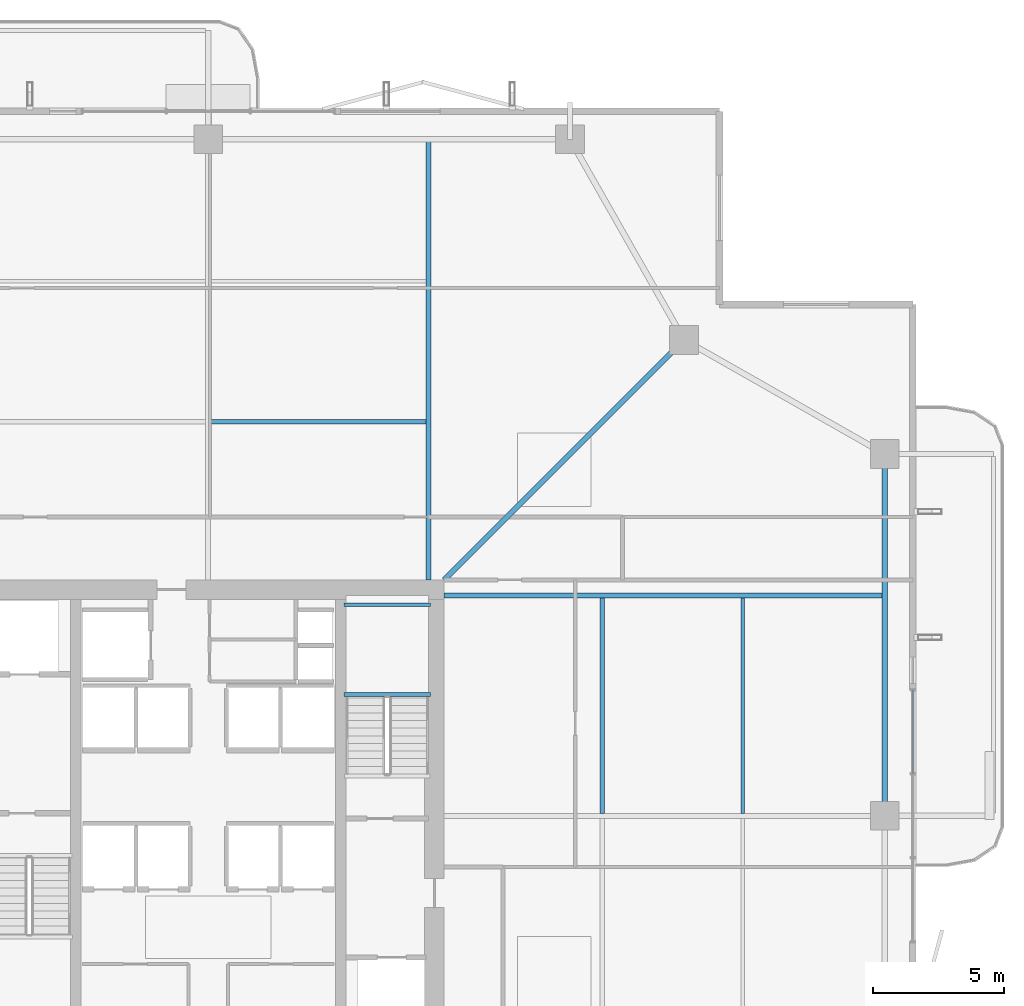
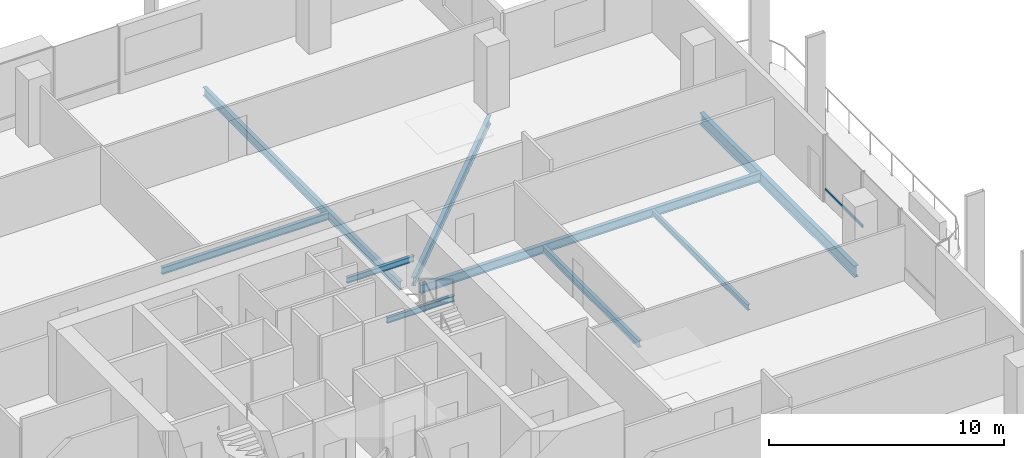
# One storey, part 12 of 24: 9 beams, 1 member, 1 element without a shape of its own.
"""IFC4 building model written with IfcOpenShell, lengths in metres."""

from ifc_helpers import new_model, si_unit, direction, frame, origin, origin_2d, place, context, subcontext, project, spatial, hollow_rectangle, i_section, extrude, material, layer, layer_set, material_profile, profile_set, type_object, element, aggregate, save


model = new_model("IFC4")

# Units and contexts
model_context = context("Model", 3, precision=1e-05, world=origin(), true_north=direction((0.0, 1.0)))
body_context = subcontext(model_context, "Body", "Model", "MODEL_VIEW")
ifc_project = project(units=[si_unit("LENGTHUNIT", "METRE"), si_unit("AREAUNIT", "SQUARE_METRE"), si_unit("VOLUMEUNIT", "CUBIC_METRE"), si_unit("PLANEANGLEUNIT", "RADIAN"), si_unit("MASSUNIT", "GRAM", prefix="KILO")], contexts=[model_context])

# Site, building, storey
site_placement = place(None, origin())
site = spatial("IfcSite", under=ifc_project, at=site_placement, CompositionType="ELEMENT")
building_placement = place(site_placement, origin())
building = spatial("IfcBuilding", under=site, at=building_placement, Name="Belovzor Exchange Tower", CompositionType="ELEMENT")
storey_placement = place(building_placement, frame((0.0, 0.0, 211.199951171875)))
storey = spatial("IfcBuildingStorey", under=building, at=storey_placement, Name="L52", CompositionType="ELEMENT", Elevation=211.199951171875)

# Beams
ifc_material_1 = material(Name="Steel S355", Category="steel")
ifc_material_profile_1 = material_profile(ifc_material_1, i_section(OverallWidth=0.169921875, OverallDepth=0.360107421875, WebThickness=0.008056640625, FlangeThickness=0.0126953125, at=origin_2d()))
ifc_profile_set_1 = profile_set([ifc_material_profile_1], Name="Steel S355")
beam_type_1 = type_object("IfcBeamType", Name="Secondary Infill Floor Joist IPE 360", PredefinedType="BEAM", material=ifc_profile_set_1)
for number, where, z_axis, x_axis, name in (
    (1, (28.89501953125, 43.827880859375, -0.429931640625), (1.0, 0.0, 0.0), (0.0, 1.0, 0.0), "FJ-360 Secondary Infill Floor Joist IPE 360"),
    (2, (43.827880859375, 28.89501953125, -0.429931640625), (0.0, 1.0, 0.0), (-1.0, 0.0, 0.0), "FJ-360 Secondary Infill Floor Joist IPE 360"),
):
    element("IfcBeam", number, at=place(storey_placement, frame(where, z_axis=z_axis, x_axis=x_axis)), inside=storey, type_object=beam_type_1, Name=name, PredefinedType="BEAM", context=body_context, shape_type="SweptSolid", body=[
        extrude(i_section(OverallWidth=0.169921875, OverallDepth=0.360107421875, WebThickness=0.008056640625, FlangeThickness=0.0126953125, at=origin_2d()), origin(), (0.0, 0.0, 1.0), 8.2099609375),
    ])
ifc_material_2 = material(Name="Steel S355", Category="steel")
ifc_material_profile_2 = material_profile(ifc_material_2, i_section(OverallWidth=0.14990234375, OverallDepth=0.300048828125, WebThickness=0.007080078125, FlangeThickness=0.0107421875, at=origin_2d()))
ifc_profile_set_2 = profile_set([ifc_material_profile_2], Name="Steel S355")
beam_type_2 = type_object("IfcBeamType", Name="Secondary Trim Floor Joist IPE 300", PredefinedType="BEAM", material=ifc_profile_set_2)
for number, where, z_axis, x_axis, name in (
    (3, (37.280029296875, 33.419921875, 1.525146484375), (-1.0, 0.0, 0.0), (0.0, -1.0, 0.0), "FJ-300 Secondary Trim Floor Joist IPE 300"),
    (4, (37.280029296875, 36.85009765625, 1.525146484375), (-1.0, 0.0, 0.0), (0.0, -1.0, 0.0), "FJ-300 Secondary Trim Floor Joist IPE 300"),
):
    element("IfcBeam", number, at=place(storey_placement, frame(where, z_axis=z_axis, x_axis=x_axis)), inside=storey, type_object=beam_type_2, Name=name, PredefinedType="BEAM", context=body_context, shape_type="SweptSolid", body=[
        extrude(i_section(OverallWidth=0.14990234375, OverallDepth=0.300048828125, WebThickness=0.007080078125, FlangeThickness=0.0107421875, at=origin_2d()), origin(), (0.0, 0.0, 1.0), 3.31005859375),
    ])
beam_1_placement = place(storey_placement, frame((49.18701171875, 28.89501953125, -0.39990234375), z_axis=(0.0, 1.0, 0.0), x_axis=(-1.0, 0.0, 0.0)))
element("IfcBeam", 5, at=beam_1_placement, inside=storey, type_object=beam_type_2, Name="FJ-300 Secondary Trim Floor Joist IPE 300", PredefinedType="BEAM", context=body_context, shape_type="SweptSolid", body=[
    extrude(i_section(OverallWidth=0.14990234375, OverallDepth=0.300048828125, WebThickness=0.007080078125, FlangeThickness=0.0107421875, at=origin_2d()), origin(), (0.0, 0.0, 1.0), 8.2099609375),
])

# Curtain wall, member
ifc_material_3 = material(Name="Anodised Aluminium Framing", Category="aluminium")
ifc_layer = layer(ifc_material_3, 0.179931640625)
ifc_layer_set = layer_set([ifc_layer], Name="Anodised Aluminium Framing")
curtain_wall_type = type_object("IfcCurtainWallType", Name="Recessed Loggia Low-Iron Triple-Glazed Curtain Wall", PredefinedType="NOTDEFINED", material=ifc_layer_set)
curtain_wall_placement = place(storey_placement, origin())
curtain_wall = element("IfcCurtainWall", 6, at=curtain_wall_placement, inside=storey, type_object=curtain_wall_type, Name="CW3 Recessed Loggia Low-Iron Triple-Glazed Curtain Wall L52", PredefinedType="NOTDEFINED")
ifc_material_4 = material(Name="Steel S355", Category="steel")
ifc_material_profile_3 = material_profile(ifc_material_4, hollow_rectangle(XDim=0.06005859375, YDim=0.14990234375, WallThickness=0.00390625, at=origin_2d()))
ifc_profile_set_3 = profile_set([ifc_material_profile_3], Name="Steel S355")
member_type = type_object("IfcMemberType", Name="Thermally Broken Curtain Wall Transom 150x60", PredefinedType="USERDEFINED", material=ifc_profile_set_3)
member_placement = place(storey_placement, frame((55.669921875, 33.592041015625, 0.630126953125), z_axis=(0.0, -1.0, 0.0), x_axis=(1.0, 0.0, 0.0)))
member = element("IfcMember", 7, at=member_placement, type_object=member_type, Name="CW-T150 Curtain Wall Transom 1", ObjectType="TRANSOM", PredefinedType="USERDEFINED", context=body_context, shape_type="SweptSolid", body=[
    extrude(hollow_rectangle(XDim=0.06005859375, YDim=0.14990234375, WallThickness=0.00390625, at=origin_2d()), origin(), (0.0, 0.0, 1.0), 3.18408203125),
])
aggregate(curtain_wall, [member])

# Beams
ifc_material_5 = material(Name="Steel S355", Category="steel")
ifc_material_profile_4 = material_profile(ifc_material_5, i_section(OverallWidth=0.18994140625, OverallDepth=0.449951171875, WebThickness=0.009521484375, FlangeThickness=0.0146484375, at=origin_2d()))
ifc_profile_set_4 = profile_set([ifc_material_profile_4], Name="Steel S355")
beam_type_3 = type_object("IfcBeamType", Name="Zone 2-4 Radial Composite Floor Beam IPE 450", PredefinedType="BEAM", material=ifc_profile_set_4)
for number, where, z_axis, x_axis, name in (
    (8, (37.199951171875, 37.800048828125, -0.474853515625), (0.0, 1.0, 0.0), (-1.0, 0.0, 0.0), "FB-450 Zone 2-4 Radial Composite Floor Beam IPE 450"),
    (9, (37.800048828125, 37.199951171875, -0.474853515625), (1.0, 0.0, 0.0), (0.0, 1.0, 0.0), "FB-450 Zone 2-4 Radial Composite Floor Beam IPE 450"),
):
    element("IfcBeam", number, at=place(storey_placement, frame(where, z_axis=z_axis, x_axis=x_axis)), inside=storey, type_object=beam_type_3, Name=name, PredefinedType="BEAM", context=body_context, shape_type="SweptSolid", body=[
        extrude(i_section(OverallWidth=0.18994140625, OverallDepth=0.449951171875, WebThickness=0.009521484375, FlangeThickness=0.0146484375, at=origin_2d()), origin(), (0.0, 0.0, 1.0), 16.744873046875),
    ])
beam_2_placement = place(storey_placement, frame((37.800048828125, 37.800048828125, -0.474853515625), z_axis=(0.707106781187, 0.707106781187, 0.0), x_axis=(-0.707106781187, 0.707106781187, 0.0)))
element("IfcBeam", 10, at=beam_2_placement, inside=storey, type_object=beam_type_3, Name="FB-450 Zone 2-4 Radial Composite Floor Beam IPE 450", PredefinedType="BEAM", context=body_context, shape_type="SweptSolid", body=[
    extrude(i_section(OverallWidth=0.18994140625, OverallDepth=0.449951171875, WebThickness=0.009521484375, FlangeThickness=0.0146484375, at=origin_2d()), origin(), (0.0, 0.0, 1.0), 12.551025390625),
])
ifc_material_6 = material(Name="Steel S355", Category="steel")
ifc_material_profile_5 = material_profile(ifc_material_6, i_section(OverallWidth=0.219970703125, OverallDepth=0.60009765625, WebThickness=0.011962890625, FlangeThickness=0.01904296875, at=origin_2d()))
ifc_profile_set_5 = profile_set([ifc_material_profile_5], Name="Steel S355")
beam_type_4 = type_object("IfcBeamType", Name="Zone 4 Flare Primary Girder IPE 600", PredefinedType="BEAM", material=ifc_profile_set_5)
beam_3_placement = place(storey_placement, frame((54.60009765625, 29.10205078125, -0.550048828125), z_axis=(0.0, 1.0, 0.0), x_axis=(-1.0, 0.0, 0.0)))
element("IfcBeam", 11, at=beam_3_placement, inside=storey, type_object=beam_type_4, Name="FG-Z4 Zone 4 Flare Primary Girder IPE 600", PredefinedType="BEAM", context=body_context, shape_type="SweptSolid", body=[
    extrude(i_section(OverallWidth=0.219970703125, OverallDepth=0.60009765625, WebThickness=0.011962890625, FlangeThickness=0.01904296875, at=origin_2d()), origin(), (0.0, 0.0, 1.0), 13.195068359375),
])

save(model, "model.ifc")
